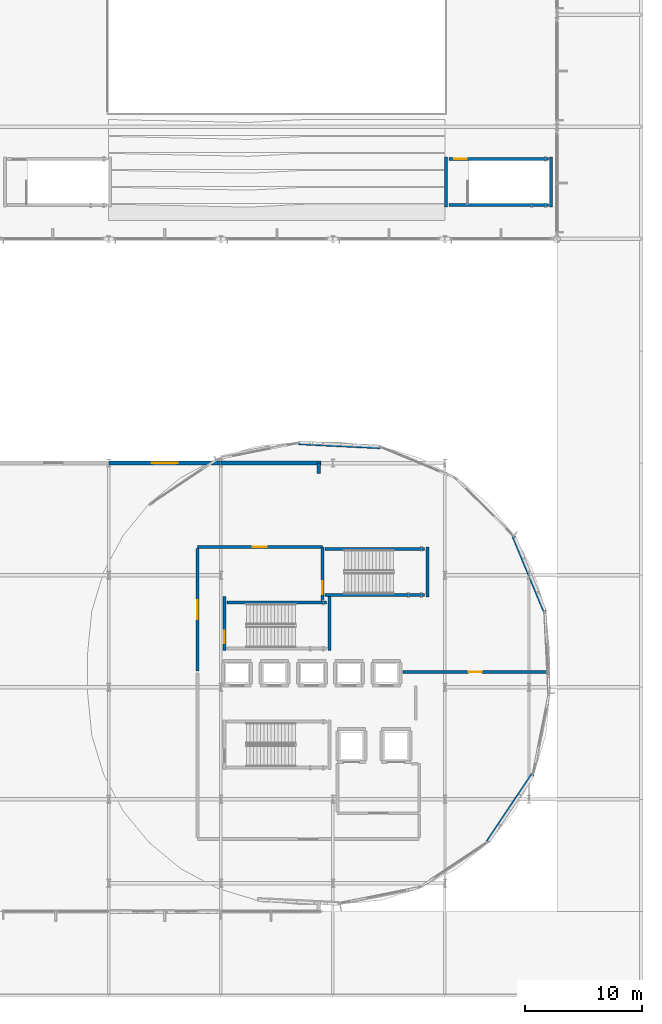
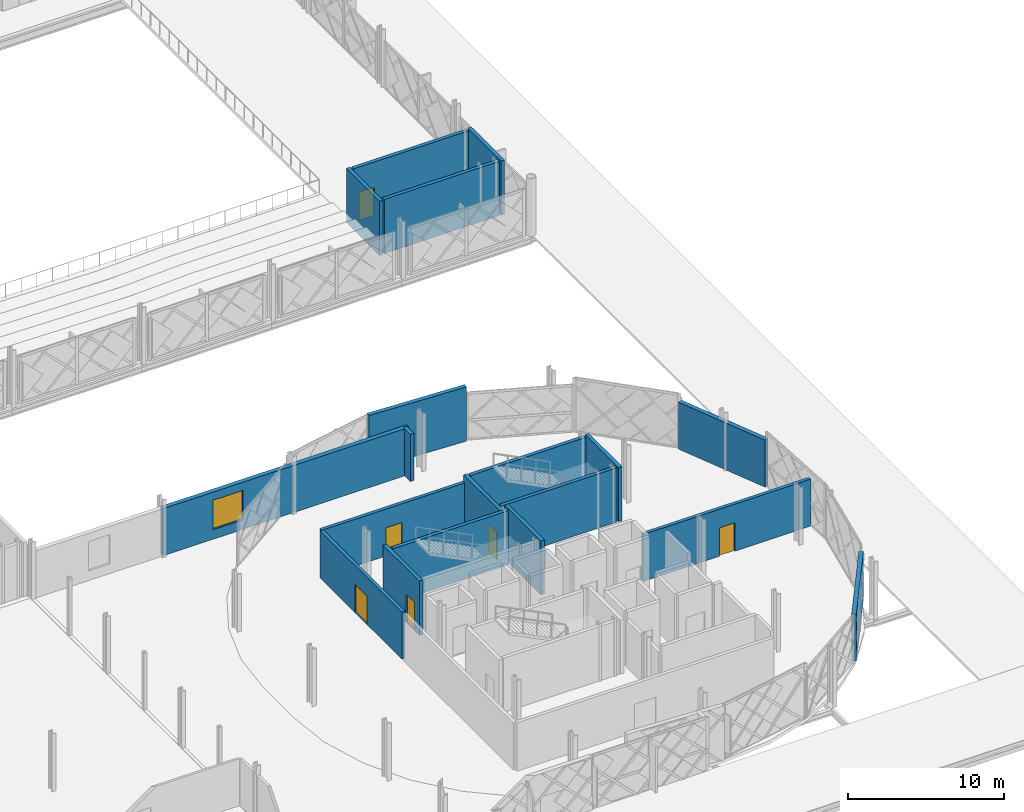
# One storey, part 71 of 101: 20 walls, 6 doors, 1 window, 7 openings.
"""IFC4 building model written with IfcOpenShell, lengths in metres."""

import ifcopenshell
import ifcopenshell.guid

model = None  # the IFC model being written
_history = None  # IfcOwnerHistory: only IFC2X3 demands one
_inside = {}  # id of a spatial element -> (the spatial element, [elements in it])
_under = {}  # id of a project, library or spatial element -> (it, [spatial elements below it])
_declared = {}  # id of a project -> (the project, [libraries it declares])
_typed = {}  # id of a type object -> (the type object, [elements of that type])
_made_of = {}  # id of a material, layer set ... -> (it, [elements and type objects made of it])


def new_model(schema):
    """Start an empty IFC model of exactly this schema.

    Asked for "IFC4X3", IfcOpenShell would pick the latest addendum, in which some entities
    have other attributes; the version numbers below select the first issue.
    IFC2X3 requires an IfcOwnerHistory on every rooted entity: one is made here for all.
    """
    global model, _history
    if schema == "IFC4X3":
        model = ifcopenshell.file(schema_version=(4, 3, 0, 0))
    else:
        model = ifcopenshell.file(schema=schema)
    _inside.clear()
    _under.clear()
    _declared.clear()
    _typed.clear()
    _made_of.clear()
    _history = None
    if model.schema == "IFC2X3":
        org = make("IfcOrganization", Name="unknown")
        user = make(
            "IfcPersonAndOrganization",
            ThePerson=make("IfcPerson", FamilyName="unknown"),
            TheOrganization=org,
        )
        app = make(
            "IfcApplication",
            ApplicationDeveloper=org,
            Version="unknown",
            ApplicationFullName="unknown",
            ApplicationIdentifier="unknown",
        )
        _history = make(
            "IfcOwnerHistory",
            OwningUser=user,
            OwningApplication=app,
            ChangeAction="ADDED",
            CreationDate=0,
        )
    return model


def make(cls, **values):
    """One entity of the class cls with the attributes given. An attribute that is None is left unset."""
    return model.create_entity(
        cls, **{name: value for name, value in values.items() if value is not None}
    )


def rooted(cls, **values):
    """An entity with a GlobalId (a new one), such as an element, a storey or a relation."""
    return make(cls, GlobalId=ifcopenshell.guid.new(), OwnerHistory=_history, **values)


def si_unit(unit_type, name, prefix=None):
    """IfcSIUnit, for example si_unit("LENGTHUNIT", "METRE", prefix="MILLI")."""
    return make("IfcSIUnit", UnitType=unit_type, Prefix=prefix, Name=name)


def assignment(units):
    """IfcUnitAssignment: the units of a project."""
    return None if units is None else make("IfcUnitAssignment", Units=units)


def point(xyz):
    """IfcCartesianPoint."""
    return None if xyz is None else make("IfcCartesianPoint", Coordinates=xyz)


def direction(xyz):
    """IfcDirection."""
    return None if xyz is None else make("IfcDirection", DirectionRatios=xyz)


def frame(location, z_axis=None, x_axis=None):
    """IfcAxis2Placement3D, a coordinate frame: its origin and axes. An axis left out is left unset."""
    return make(
        "IfcAxis2Placement3D",
        Location=point(location),
        Axis=direction(z_axis),
        RefDirection=direction(x_axis),
    )


def frame_2d(location, x_axis=None):
    """IfcAxis2Placement2D, a coordinate frame in the plane: its origin and x axis."""
    return make(
        "IfcAxis2Placement2D", Location=point(location), RefDirection=direction(x_axis)
    )


def origin():
    """The frame at (0, 0, 0) with its axes left unset."""
    return frame((0.0, 0.0, 0.0))


def place(relative_to, where):
    """IfcLocalPlacement: puts the frame where relative to a parent placement (None: the world)."""
    return make(
        "IfcLocalPlacement", PlacementRelTo=relative_to, RelativePlacement=where
    )


def context(
    kind, dimensions, precision=None, world=None, true_north=None, identifier=None
):
    """IfcGeometricRepresentationContext, for example the 3D "Model" context."""
    return make(
        "IfcGeometricRepresentationContext",
        ContextIdentifier=identifier,
        ContextType=kind,
        CoordinateSpaceDimension=dimensions,
        Precision=precision,
        WorldCoordinateSystem=world,
        TrueNorth=true_north,
    )


def subcontext(parent, identifier, kind, view, scale=None):
    """IfcGeometricRepresentationSubContext, for example "Body" below "Model"."""
    return make(
        "IfcGeometricRepresentationSubContext",
        ContextIdentifier=identifier,
        ContextType=kind,
        ParentContext=parent,
        TargetScale=scale,
        TargetView=view,
    )


def project(units=None, contexts=None):
    """IfcProject with its units and contexts."""
    return rooted(
        "IfcProject",
        Name="project",
        RepresentationContexts=contexts,
        UnitsInContext=assignment(units),
    )


def spatial(cls, under=None, at=None, **own):
    """A site, building, storey or space (cls), placed at a placement, below another one or the project."""
    s = rooted(cls, ObjectPlacement=at, **own)
    if under is not None:
        _under.setdefault(under.id(), (under, []))[1].append(s)
    return s


def profile(cls, at=None, kind="AREA", **sizes):
    """A parametric profile (cls). Its sizes go by their IFC names, for example OverallWidth=200.0."""
    return make(cls, ProfileType=kind, Position=at, **sizes)


def rectangle(**sizes):
    """IfcRectangleProfileDef."""
    return profile("IfcRectangleProfileDef", **sizes)


def extrude(swept, where, along, depth):
    """IfcExtrudedAreaSolid: the profile swept, set in the frame where, extruded along a direction by depth."""
    return make(
        "IfcExtrudedAreaSolid",
        SweptArea=swept,
        Position=where,
        ExtrudedDirection=direction(along),
        Depth=depth,
    )


def shape(context_of_items, identifier, shape_type, items):
    """IfcShapeRepresentation: the items that make up one representation, for example the "Body"."""
    return make(
        "IfcShapeRepresentation",
        ContextOfItems=context_of_items,
        RepresentationIdentifier=identifier,
        RepresentationType=shape_type,
        Items=items,
    )


def material(Name=None, Category=None):
    """IfcMaterial."""
    return make("IfcMaterial", Name=Name, Category=Category)


def layer(
    of_material, thickness, ventilated=None, Name=None, Category=None, Priority=None
):
    """IfcMaterialLayer: one layer of a wall or slab, of a material (None: an air gap)."""
    return make(
        "IfcMaterialLayer",
        Material=of_material,
        LayerThickness=thickness,
        IsVentilated=ventilated,
        Name=Name,
        Category=Category,
        Priority=Priority,
    )


def layer_set(layers, Name=None):
    """IfcMaterialLayerSet."""
    return make("IfcMaterialLayerSet", MaterialLayers=layers, LayerSetName=Name)


def made_of(thing, what):
    """Note that an element or type object is made of a material, layer set ...; save() writes the relation."""
    if what is not None:
        _made_of.setdefault(what.id(), (what, []))[1].append(thing)
    return thing


def type_object(cls, material=None, **own):
    """A type object (cls), such as IfcWallType, which elements share."""
    return made_of(rooted(cls, **own), material)


def element(
    cls,
    number,
    at=None,
    inside=None,
    cuts=None,
    type_object=None,
    material=None,
    context=None,
    identifier="Body",
    shape_type=None,
    held_by="IfcProductDefinitionShape",
    body=None,
    shapes=None,
    **own,
):
    """One element of the class cls, such as IfcWall. Its Tag is "e" and its number.

    at: its placement. inside: the storey or other place that contains it. cuts: it is an
    opening in that element (IfcRelVoidsElement). A single representation is given by context,
    identifier, shape_type and body (its items); several are given by shapes. held_by: the class
    of the entity that holds the representations. save() writes the other relations.
    """
    e = rooted(cls, Tag="e%d" % number, ObjectPlacement=at, **own)
    if body is not None:
        shapes = [shape(context, identifier, shape_type, body)]
    if shapes is not None:
        e.Representation = make(held_by, Representations=shapes)
    if inside is not None:
        _inside.setdefault(inside.id(), (inside, []))[1].append(e)
    if cuts is not None:
        rooted(
            "IfcRelVoidsElement", RelatingBuildingElement=cuts, RelatedOpeningElement=e
        )
    if type_object is not None:
        _typed.setdefault(type_object.id(), (type_object, []))[1].append(e)
    return made_of(e, material)


def fill(opening, filler):
    """IfcRelFillsElement: the door or window that sits in an opening."""
    return rooted(
        "IfcRelFillsElement",
        RelatingOpeningElement=opening,
        RelatedBuildingElement=filler,
    )


def aggregate(whole, parts):
    """IfcRelAggregates: a whole, such as a stair, and the parts it consists of."""
    return rooted("IfcRelAggregates", RelatingObject=whole, RelatedObjects=parts)


def save(model, path):
    """Write the relations noted so far, then the file.

    IfcRelAggregates (storeys below a building ...), IfcRelContainedInSpatialStructure (elements
    in a storey), IfcRelDefinesByType, IfcRelAssociatesMaterial and IfcRelDeclares: one each for
    every whole, place, type object, material and project.
    """
    for whole, parts in _under.values():
        aggregate(whole, parts)
    for where, things in _inside.values():
        rooted(
            "IfcRelContainedInSpatialStructure",
            RelatedElements=things,
            RelatingStructure=where,
        )
    for kind, things in _typed.values():
        rooted("IfcRelDefinesByType", RelatedObjects=things, RelatingType=kind)
    for what, things in _made_of.values():
        rooted("IfcRelAssociatesMaterial", RelatedObjects=things, RelatingMaterial=what)
    for by, libraries in _declared.values():
        rooted("IfcRelDeclares", RelatingContext=by, RelatedDefinitions=libraries)
    model.write(path)


model = new_model("IFC4")

# Units and contexts
model_context = context("Model", 3, precision=1e-05, world=origin(), true_north=direction((0.0, 1.0)))
body_context = subcontext(model_context, "Body", "Model", "MODEL_VIEW")
ifc_project = project(units=[si_unit("LENGTHUNIT", "METRE"), si_unit("AREAUNIT", "SQUARE_METRE"), si_unit("VOLUMEUNIT", "CUBIC_METRE"), si_unit("PLANEANGLEUNIT", "RADIAN"), si_unit("MASSUNIT", "GRAM", prefix="KILO")], contexts=[model_context])

# Site, building, storey
site_placement = place(None, origin())
site = spatial("IfcSite", under=ifc_project, at=site_placement, CompositionType="ELEMENT")
building_placement = place(site_placement, origin())
building = spatial("IfcBuilding", under=site, at=building_placement, Name="Zevrakil Square Congress Hotel", CompositionType="ELEMENT")
storey_placement = place(building_placement, frame((0.0, 0.0, 5.39990234375)))
storey = spatial("IfcBuildingStorey", under=building, at=storey_placement, Name="L02", CompositionType="ELEMENT", Elevation=5.39990234375)

# Wall, opening, door
ifc_material_1 = material(Name="Concrete C35/45", Category="concrete")
ifc_layer_1 = layer(ifc_material_1, 0.239990234375)
ifc_layer_set_1 = layer_set([ifc_layer_1], Name="Concrete C35/45")
wall_type_1 = type_object("IfcWallType", Name="WAL-COMP-240", PredefinedType="SOLIDWALL", material=ifc_layer_set_1)
wall_1_placement = place(storey_placement, frame((134.800048828125, 27.800048828125, 0.0), z_axis=(0.0, 0.0, 1.0), x_axis=(0.0, 1.0, 0.0)))
wall_1 = element("IfcWall", 1, at=wall_1_placement, inside=storey, type_object=wall_type_1, Name="L02 interior partition PW-L02-0054", PredefinedType="SOLIDWALL", context=body_context, shape_type="SweptSolid", body=[
    extrude(rectangle(XDim=10.474853515625, YDim=0.239990234375, at=frame_2d((5.2373046875, 0.0))), origin(), (0.0, 0.0, 1.0), 3.68505859375),
])
opening_1_placement = place(wall_1_placement, frame((4.4375, 0.0, 0.0)))
opening_1 = element("IfcOpeningElement", 2, at=opening_1_placement, cuts=wall_1, Name="Opening FD90-D", PredefinedType="OPENING", context=body_context, shape_type="SweptSolid", body=[
    extrude(rectangle(XDim=1.60009765625, YDim=2.199951171875, at=frame_2d((0.800048828125, 1.10009765625))), frame((0.0, 0.1298828125, 0.0), z_axis=(0.0, -1.0, 0.0), x_axis=(1.0, 0.0, 0.0)), (0.0, 0.0, 1.0), 0.260009765625),
])
ifc_material_2 = material(Name="Steel S355 Double Fire Door", Category="steel")
door_type_1 = type_object("IfcDoorType", Name="DOR-FFLOB-FD90-160", OperationType="NOTDEFINED", PredefinedType="DOOR", material=ifc_material_2)
door_1_placement = place(opening_1_placement, origin())
door_1 = element("IfcDoor", 3, at=door_1_placement, inside=storey, type_object=door_type_1, Name="L02 interior door 17", OperationType="DOUBLE_DOOR_SINGLE_SWING", OverallHeight=2.199951171875, OverallWidth=1.60009765625, PredefinedType="DOOR", context=body_context, shape_type="SweptSolid", body=[
    extrude(rectangle(XDim=1.60009765625, YDim=2.199951171875, at=frame_2d((0.800048828125, 1.10009765625))), frame((0.0, 0.02490234375, 0.0), z_axis=(0.0, -1.0, 0.0), x_axis=(1.0, 0.0, 0.0)), (0.0, 0.0, 1.0), 0.050048828125),
])
fill(opening_1, door_1)

wall_2_placement = place(storey_placement, frame((134.800048828125, 38.39990234375, 0.0), z_axis=(0.0, 0.0, 1.0), x_axis=(1.0, 0.0, 0.0)))
wall_2 = element("IfcWall", 4, at=wall_2_placement, inside=storey, type_object=wall_type_1, Name="L02 interior partition PW-L02-0055", PredefinedType="SOLIDWALL", context=body_context, shape_type="SweptSolid", body=[
    extrude(rectangle(XDim=10.699951171875, YDim=0.239990234375, at=frame_2d((5.35009765625, 0.0))), origin(), (0.0, 0.0, 1.0), 3.675048828125),
])
opening_2_placement = place(wall_2_placement, frame((4.75, 0.0, 0.0)))
opening_2 = element("IfcOpeningElement", 5, at=opening_2_placement, cuts=wall_2, Name="Opening FD90", PredefinedType="OPENING", context=body_context, shape_type="SweptSolid", body=[
    extrude(rectangle(XDim=1.199951171875, YDim=2.199951171875, at=frame_2d((0.60009765625, 1.10009765625))), frame((0.0, 0.1298828125, 0.0), z_axis=(0.0, -1.0, 0.0), x_axis=(1.0, 0.0, 0.0)), (0.0, 0.0, 1.0), 0.260009765625),
])
ifc_material_3 = material(Name="Steel S355 Fire-Rated Door", Category="steel")
door_type_2 = type_object("IfcDoorType", Name="DOR-STAIR-FD90-120", OperationType="NOTDEFINED", PredefinedType="DOOR", material=ifc_material_3)
door_2_placement = place(opening_2_placement, origin())
door_2 = element("IfcDoor", 6, at=door_2_placement, inside=storey, type_object=door_type_2, Name="L02 interior door 18", OperationType="SINGLE_SWING_RIGHT", OverallHeight=2.199951171875, OverallWidth=1.199951171875, PredefinedType="DOOR", context=body_context, shape_type="SweptSolid", body=[
    extrude(rectangle(XDim=1.199951171875, YDim=2.199951171875, at=frame_2d((0.60009765625, 1.10009765625))), frame((0.0, 0.02490234375, 0.0), z_axis=(0.0, -1.0, 0.0), x_axis=(1.0, 0.0, 0.0)), (0.0, 0.0, 1.0), 0.050048828125),
])
fill(opening_2, door_2)

wall_3_placement = place(storey_placement, frame((152.39990234375, 27.699951171875, 0.0), z_axis=(0.0, 0.0, 1.0), x_axis=(1.0, 0.0, 0.0)))
wall_3 = element("IfcWall", 7, at=wall_3_placement, inside=storey, type_object=wall_type_1, Name="L02 interior partition PW-L02-0057", PredefinedType="SOLIDWALL", context=body_context, shape_type="SweptSolid", body=[
    extrude(rectangle(XDim=12.400146484375, YDim=0.239990234375, at=frame_2d((6.2001953125, 0.0))), origin(), (0.0, 0.0, 1.0), 3.675048828125),
])
opening_3_placement = place(wall_3_placement, frame((5.625, 0.0, 0.0)))
opening_3 = element("IfcOpeningElement", 8, at=opening_3_placement, cuts=wall_3, Name="Opening ID-17", PredefinedType="OPENING", context=body_context, shape_type="SweptSolid", body=[
    extrude(rectangle(XDim=1.14990234375, YDim=2.219970703125, at=frame_2d((0.574951171875, 1.10986328125))), frame((0.0, 0.1298828125, 0.0), z_axis=(0.0, -1.0, 0.0), x_axis=(1.0, 0.0, 0.0)), (0.0, 0.0, 1.0), 0.260009765625),
])
ifc_material_4 = material(Name="Acoustic Timber Fire Door", Category="wood")
door_type_3 = type_object("IfcDoorType", Name="DOR-INT-V07", OperationType="NOTDEFINED", PredefinedType="DOOR", material=ifc_material_4)
door_3_placement = place(opening_3_placement, origin())
door_3 = element("IfcDoor", 9, at=door_3_placement, inside=storey, type_object=door_type_3, Name="L02 interior door 19", OperationType="SINGLE_SWING_LEFT", OverallHeight=2.219970703125, OverallWidth=1.14990234375, PredefinedType="DOOR", context=body_context, shape_type="SweptSolid", body=[
    extrude(rectangle(XDim=1.14990234375, YDim=2.219970703125, at=frame_2d((0.574951171875, 1.10986328125))), frame((0.0, 0.02490234375, 0.0), z_axis=(0.0, -1.0, 0.0), x_axis=(1.0, 0.0, 0.0)), (0.0, 0.0, 1.0), 0.050048828125),
])
fill(opening_3, door_3)

# Walls
ifc_material_5 = material(Name="Precast concrete C40/50", Category="concrete")
ifc_layer_2 = layer(ifc_material_5, 0.300048828125)
ifc_layer_set_2 = layer_set([ifc_layer_2], Name="Precast concrete C40/50")
wall_type_2 = type_object("IfcWallType", Name="WAL-EXT-DRM-300", PredefinedType="SOLIDWALL", material=ifc_layer_set_2)
for number, where, z_axis, x_axis, name in (
    (10, (159.651123046875, 13.14892578125, 0.0), (0.0, 0.0, 1.0), (0.555568447208, 0.831470805541, 0.0), "L02 exterior GRC wall EW-L02-0120"),
    (11, (164.56494140625, 32.85791015625, 0.0), (0.0, 0.0, 1.0), (-0.382677014704, 0.923882190767, 0.0), "L02 exterior GRC wall EW-L02-0121"),
):
    element("IfcWall", number, at=place(storey_placement, frame(where, z_axis=z_axis, x_axis=x_axis)), inside=storey, type_object=wall_type_2, Name=name, PredefinedType="SOLIDWALL", context=body_context, shape_type="SweptSolid", body=[
        extrude(rectangle(XDim=7.005615234375, YDim=0.300048828125, at=frame_2d((3.5029296875, 0.0))), origin(), (0.0, 0.0, 1.0), 3.675048828125),
    ])
wall_4_placement = place(storey_placement, frame((150.457763671875, 46.965087890625, 0.0), z_axis=(0.0, 0.0, 1.0), x_axis=(-0.998792249688, 0.049132901017, 0.0)))
element("IfcWall", 12, at=wall_4_placement, inside=storey, type_object=wall_type_2, Name="L02 exterior GRC wall EW-L02-0122", PredefinedType="SOLIDWALL", context=body_context, shape_type="SweptSolid", body=[
    extrude(rectangle(XDim=7.021240234375, YDim=0.300048828125, at=frame_2d((3.5107421875, 0.0))), origin(), (0.0, 0.0, 1.0), 4.239990234375),
])

# Wall, opening, window
ifc_material_6 = material(Name="Precast concrete C40/50", Category="concrete")
ifc_layer_3 = layer(ifc_material_6, 0.320068359375)
ifc_layer_set_3 = layer_set([ifc_layer_3], Name="Precast concrete C40/50")
wall_type_3 = type_object("IfcWallType", Name="WAL-EXT-GRC-320", PredefinedType="SOLIDWALL", material=ifc_layer_set_3)
wall_5_placement = place(storey_placement, frame((127.202880859375, 45.60009765625, 0.0), z_axis=(0.0, 0.0, 1.0), x_axis=(1.0, 0.0, 0.0)))
wall_5 = element("IfcWall", 13, at=wall_5_placement, inside=storey, type_object=wall_type_3, Name="L02 exterior GRC wall EW-L02-0097", PredefinedType="SOLIDWALL", context=body_context, shape_type="SweptSolid", body=[
    extrude(rectangle(XDim=9.59423828125, YDim=0.320068359375, at=frame_2d((4.797119140625, 0.0))), origin(), (0.0, 0.0, 1.0), 3.68505859375),
])
opening_4_placement = place(wall_5_placement, frame((3.697021484375, 0.0, 0.75)))
opening_4 = element("IfcOpeningElement", 14, at=opening_4_placement, cuts=wall_5, Name="Opening WN-39", PredefinedType="OPENING", context=body_context, shape_type="SweptSolid", body=[
    extrude(rectangle(XDim=2.199951171875, YDim=2.300048828125, at=frame_2d((1.10009765625, 1.14990234375))), frame((0.0, 0.169921875, 0.0), z_axis=(0.0, -1.0, 0.0), x_axis=(1.0, 0.0, 0.0)), (0.0, 0.0, 1.0), 0.340087890625),
])
ifc_material_7 = material(Name="Low-E Solar Control Double Glazing", Category="glass")
window_type = type_object("IfcWindowType", Name="WIN-EXT-39", PartitioningType="SINGLE_PANEL", PredefinedType="WINDOW", material=ifc_material_7)
window_placement = place(opening_4_placement, origin())
window = element("IfcWindow", 15, at=window_placement, inside=storey, type_object=window_type, Name="L02 low-E solar window 83", OverallHeight=2.300048828125, OverallWidth=2.199951171875, PartitioningType="SINGLE_PANEL", PredefinedType="WINDOW", context=body_context, shape_type="SweptSolid", body=[
    extrude(rectangle(XDim=2.199951171875, YDim=2.300048828125, at=frame_2d((1.10009765625, 1.14990234375))), frame((0.0, 0.030029296875, 0.0), z_axis=(0.0, -1.0, 0.0), x_axis=(1.0, 0.0, 0.0)), (0.0, 0.0, 1.0), 0.06005859375),
])
fill(opening_4, window)

# Walls
wall_6_placement = place(storey_placement, frame((136.802978515625, 45.60009765625, 0.0), z_axis=(0.0, 0.0, 1.0), x_axis=(1.0, 0.0, 0.0)))
element("IfcWall", 16, at=wall_6_placement, inside=storey, type_object=wall_type_3, Name="L02 exterior GRC wall EW-L02-0100", PredefinedType="SOLIDWALL", context=body_context, shape_type="SweptSolid", body=[
    extrude(rectangle(XDim=8.596923828125, YDim=0.320068359375, at=frame_2d((4.29833984375, 0.0))), origin(), (0.0, 0.0, 1.0), 3.68505859375),
])
ifc_material_8 = material(Name="Precast concrete C40/50", Category="concrete")
ifc_layer_4 = layer(ifc_material_8, 0.280029296875)
ifc_layer_set_4 = layer_set([ifc_layer_4], Name="Precast concrete C40/50")
wall_type_4 = type_object("IfcWallType", Name="WAL-EXT-PAV-280", PredefinedType="SOLIDWALL", material=ifc_layer_set_4)
wall_7_placement = place(storey_placement, frame((145.199951171875, 44.699951171875, 0.0), z_axis=(0.0, 0.0, 1.0), x_axis=(0.0, 1.0, 0.0)))
element("IfcWall", 17, at=wall_7_placement, inside=storey, type_object=wall_type_4, Name="L02 exterior GRC wall EW-L02-0105", PredefinedType="SOLIDWALL", context=body_context, shape_type="SweptSolid", body=[
    extrude(rectangle(XDim=0.900146484375, YDim=0.280029296875, at=frame_2d((0.4501953125, 0.0))), origin(), (0.0, 0.0, 1.0), 3.68505859375),
])

# Wall, opening, door
ifc_material_9 = material(Name="Concrete C40/50", Category="concrete")
ifc_layer_5 = layer(ifc_material_9, 0.260009765625)
ifc_layer_set_5 = layer_set([ifc_layer_5], Name="Concrete C40/50")
wall_type_5 = type_object("IfcWallType", Name="WAL-SHAFT-260", PredefinedType="SHEAR", material=ifc_layer_set_5)
wall_8_placement = place(storey_placement, frame((137.10498046875, 29.5400390625, 0.0), z_axis=(0.0, 0.0, 1.0), x_axis=(0.0, 1.0, 0.0)))
wall_8 = element("IfcWall", 18, at=wall_8_placement, inside=storey, type_object=wall_type_5, Name="L02 ST02 stair shaft W wall", PredefinedType="SHEAR", context=body_context, shape_type="SweptSolid", body=[
    extrude(rectangle(XDim=4.635009765625, YDim=0.260009765625, at=frame_2d((2.3173828125, 0.0))), origin(), (0.0, 0.0, 1.0), 4.239990234375),
])
opening_5_placement = place(wall_8_placement, frame((0.610107421875, 0.0, 0.0)))
opening_5 = element("IfcOpeningElement", 19, at=opening_5_placement, cuts=wall_8, Name="Opening SD-ST02", PredefinedType="OPENING", context=body_context, shape_type="SweptSolid", body=[
    extrude(rectangle(XDim=1.10009765625, YDim=2.199951171875, at=frame_2d((0.550048828125, 1.10009765625))), frame((0.0, 0.14013671875, 0.0), z_axis=(0.0, -1.0, 0.0), x_axis=(1.0, 0.0, 0.0)), (0.0, 0.0, 1.0), 0.280029296875),
])
ifc_material_10 = material(Name="Steel S355 Fire-Rated Door", Category="steel")
door_type_4 = type_object("IfcDoorType", Name="DOR-STAIR-FD90-110", OperationType="NOTDEFINED", PredefinedType="DOOR", material=ifc_material_10)
door_4_placement = place(opening_5_placement, origin())
door_4 = element("IfcDoor", 20, at=door_4_placement, inside=storey, type_object=door_type_4, Name="L02 ST02 protected stair fire door", OperationType="SINGLE_SWING_LEFT", OverallHeight=2.199951171875, OverallWidth=1.10009765625, PredefinedType="DOOR", context=body_context, shape_type="SweptSolid", body=[
    extrude(rectangle(XDim=1.10009765625, YDim=2.199951171875, at=frame_2d((0.550048828125, 1.10009765625))), frame((0.0, 0.02490234375, 0.0), z_axis=(0.0, -1.0, 0.0), x_axis=(1.0, 0.0, 0.0)), (0.0, 0.0, 1.0), 0.050048828125),
])
fill(opening_5, door_4)

# Walls
wall_9_placement = place(storey_placement, frame((146.094970703125, 29.5400390625, 0.0), z_axis=(0.0, 0.0, 1.0), x_axis=(0.0, 1.0, 0.0)))
element("IfcWall", 21, at=wall_9_placement, inside=storey, type_object=wall_type_5, Name="L02 ST02 stair shaft E wall", PredefinedType="SHEAR", context=body_context, shape_type="SweptSolid", body=[
    extrude(rectangle(XDim=4.635009765625, YDim=0.260009765625, at=frame_2d((2.3173828125, 0.0))), origin(), (0.0, 0.0, 1.0), 4.239990234375),
])
wall_10_placement = place(storey_placement, frame((137.340087890625, 33.64501953125, 0.0), z_axis=(0.0, 0.0, 1.0), x_axis=(1.0, 0.0, 0.0)))
element("IfcWall", 22, at=wall_10_placement, inside=storey, type_object=wall_type_5, Name="L02 ST02 stair shaft N wall", PredefinedType="SHEAR", context=body_context, shape_type="SweptSolid", body=[
    extrude(rectangle(XDim=8.52001953125, YDim=0.260009765625, at=frame_2d((4.260009765625, 0.0))), origin(), (0.0, 0.0, 1.0), 4.239990234375),
])

# Wall, opening, door
wall_11_placement = place(storey_placement, frame((145.5048828125, 33.764892578125, 0.0), z_axis=(0.0, 0.0, 1.0), x_axis=(0.0, 1.0, 0.0)))
wall_11 = element("IfcWall", 23, at=wall_11_placement, inside=storey, type_object=wall_type_5, Name="L02 ST03 stair shaft W wall", PredefinedType="SHEAR", context=body_context, shape_type="SweptSolid", body=[
    extrude(rectangle(XDim=4.64501953125, YDim=0.260009765625, at=frame_2d((2.322509765625, 0.0))), origin(), (0.0, 0.0, 1.0), 4.239990234375),
])
opening_6_placement = place(wall_11_placement, frame((0.610107421875, 0.0, 0.0)))
opening_6 = element("IfcOpeningElement", 24, at=opening_6_placement, cuts=wall_11, Name="Opening SD-ST03", PredefinedType="OPENING", context=body_context, shape_type="SweptSolid", body=[
    extrude(rectangle(XDim=1.10009765625, YDim=2.199951171875, at=frame_2d((0.550048828125, 1.10009765625))), frame((0.0, 0.14013671875, 0.0), z_axis=(0.0, -1.0, 0.0), x_axis=(1.0, 0.0, 0.0)), (0.0, 0.0, 1.0), 0.280029296875),
])
door_5_placement = place(opening_6_placement, origin())
door_5 = element("IfcDoor", 25, at=door_5_placement, inside=storey, type_object=door_type_4, Name="L02 ST03 protected stair fire door", OperationType="SINGLE_SWING_LEFT", OverallHeight=2.199951171875, OverallWidth=1.10009765625, PredefinedType="DOOR", context=body_context, shape_type="SweptSolid", body=[
    extrude(rectangle(XDim=1.10009765625, YDim=2.199951171875, at=frame_2d((0.550048828125, 1.10009765625))), frame((0.0, 0.02490234375, 0.0), z_axis=(0.0, -1.0, 0.0), x_axis=(1.0, 0.0, 0.0)), (0.0, 0.0, 1.0), 0.050048828125),
])
fill(opening_6, door_5)

# Walls
wall_12_placement = place(storey_placement, frame((154.4951171875, 34.139892578125, 0.0), z_axis=(0.0, 0.0, 1.0), x_axis=(0.0, 1.0, 0.0)))
element("IfcWall", 26, at=wall_12_placement, inside=storey, type_object=wall_type_5, Name="L02 ST03 stair shaft E wall", PredefinedType="SHEAR", context=body_context, shape_type="SweptSolid", body=[
    extrude(rectangle(XDim=4.27001953125, YDim=0.260009765625, at=frame_2d((2.135009765625, 0.0))), origin(), (0.0, 0.0, 1.0), 4.239990234375),
])
for number, where, z_axis, x_axis, name in (
    (27, (145.739990234375, 34.304931640625, 0.0), (0.0, 0.0, 1.0), (1.0, 0.0, 0.0), "L02 ST03 stair shaft S wall"),
    (28, (145.739990234375, 38.2451171875, 0.0), (0.0, 0.0, 1.0), (1.0, 0.0, 0.0), "L02 ST03 stair shaft N wall"),
):
    element("IfcWall", number, at=place(storey_placement, frame(where, z_axis=z_axis, x_axis=x_axis)), inside=storey, type_object=wall_type_5, Name=name, PredefinedType="SHEAR", context=body_context, shape_type="SweptSolid", body=[
        extrude(rectangle(XDim=8.52001953125, YDim=0.260009765625, at=frame_2d((4.260009765625, 0.0))), origin(), (0.0, 0.0, 1.0), 4.239990234375),
    ])
for number, where, z_axis, x_axis, name in (
    (29, (156.10498046875, 67.5400390625, 0.0), (0.0, 0.0, 1.0), (0.0, 1.0, 0.0), "L02 ST09 stair shaft W wall"),
    (30, (165.094970703125, 67.5400390625, 0.0), (0.0, 0.0, 1.0), (0.0, 1.0, 0.0), "L02 ST09 stair shaft E wall"),
):
    element("IfcWall", number, at=place(storey_placement, frame(where, z_axis=z_axis, x_axis=x_axis)), inside=storey, type_object=wall_type_5, Name=name, PredefinedType="SHEAR", context=body_context, shape_type="SweptSolid", body=[
        extrude(rectangle(XDim=4.27001953125, YDim=0.260009765625, at=frame_2d((2.135009765625, 0.0))), origin(), (0.0, 0.0, 1.0), 4.239990234375),
    ])
wall_13_placement = place(storey_placement, frame((156.340087890625, 67.705078125, 0.0), z_axis=(0.0, 0.0, 1.0), x_axis=(1.0, 0.0, 0.0)))
element("IfcWall", 31, at=wall_13_placement, inside=storey, type_object=wall_type_5, Name="L02 ST09 stair shaft S wall", PredefinedType="SHEAR", context=body_context, shape_type="SweptSolid", body=[
    extrude(rectangle(XDim=8.52001953125, YDim=0.260009765625, at=frame_2d((4.260009765625, 0.0))), origin(), (0.0, 0.0, 1.0), 4.239990234375),
])

# Wall, opening, door
wall_14_placement = place(storey_placement, frame((156.340087890625, 71.64501953125, 0.0), z_axis=(0.0, 0.0, 1.0), x_axis=(1.0, 0.0, 0.0)))
wall_14 = element("IfcWall", 32, at=wall_14_placement, inside=storey, type_object=wall_type_5, Name="L02 ST09 stair shaft N wall", PredefinedType="SHEAR", context=body_context, shape_type="SweptSolid", body=[
    extrude(rectangle(XDim=8.52001953125, YDim=0.260009765625, at=frame_2d((4.260009765625, 0.0))), origin(), (0.0, 0.0, 1.0), 4.239990234375),
])
opening_7_placement = place(wall_14_placement, frame((0.449951171875, 0.0, 0.0)))
opening_7 = element("IfcOpeningElement", 33, at=opening_7_placement, cuts=wall_14, Name="Opening SD-ST09", PredefinedType="OPENING", context=body_context, shape_type="SweptSolid", body=[
    extrude(rectangle(XDim=1.10009765625, YDim=2.199951171875, at=frame_2d((0.550048828125, 1.10009765625))), frame((0.0, 0.14013671875, 0.0), z_axis=(0.0, -1.0, 0.0), x_axis=(1.0, 0.0, 0.0)), (0.0, 0.0, 1.0), 0.280029296875),
])
door_6_placement = place(opening_7_placement, origin())
door_6 = element("IfcDoor", 34, at=door_6_placement, inside=storey, type_object=door_type_4, Name="L02 ST09 protected stair fire door", OperationType="SINGLE_SWING_LEFT", OverallHeight=2.199951171875, OverallWidth=1.10009765625, PredefinedType="DOOR", context=body_context, shape_type="SweptSolid", body=[
    extrude(rectangle(XDim=1.10009765625, YDim=2.199951171875, at=frame_2d((0.550048828125, 1.10009765625))), frame((0.0, 0.02490234375, 0.0), z_axis=(0.0, -1.0, 0.0), x_axis=(1.0, 0.0, 0.0)), (0.0, 0.0, 1.0), 0.050048828125),
])
fill(opening_7, door_6)

save(model, "model.ifc")
